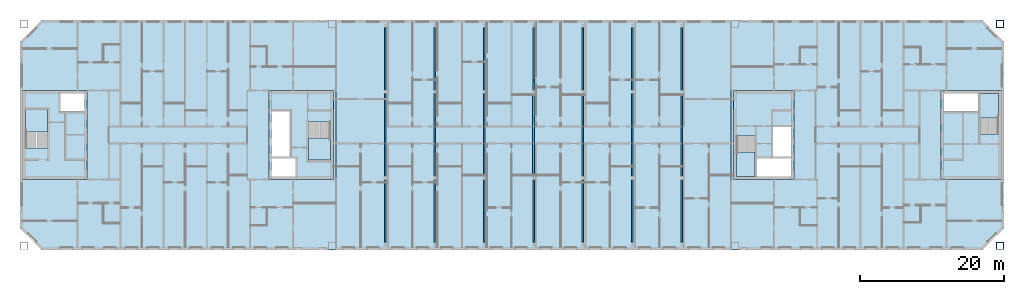
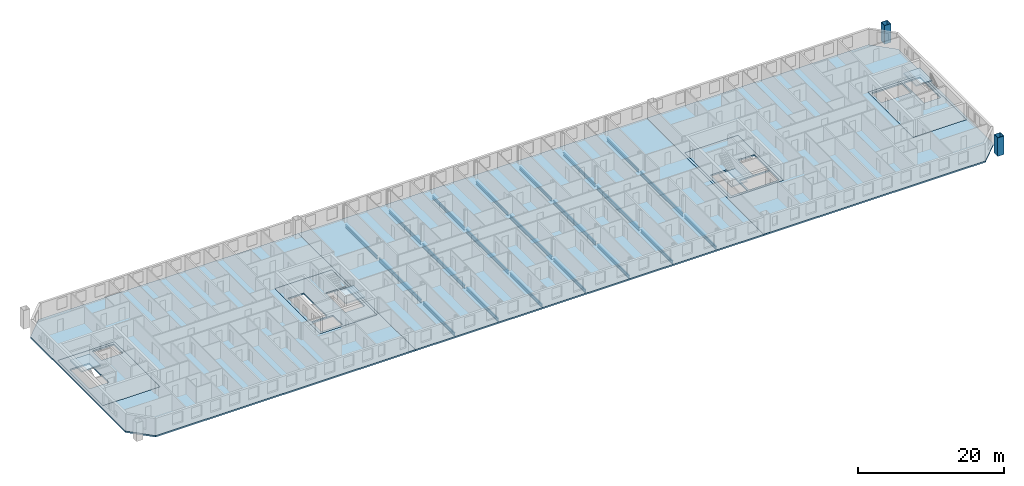
# One storey, part 3 of 19: 21 beams, 11 slabs, 2 columns, 4 elements without a shape of their own.
"""IFC4 building model written with IfcOpenShell, lengths in metres."""

from ifc_helpers import new_model, si_unit, direction, frame, origin, origin_2d, place, context, subcontext, project, spatial, polyline, hollow_rectangle, i_section, outline, extrude, material, layer, layer_set, material_profile, profile_set, type_object, element, aggregate, save


model = new_model("IFC4")

# Units and contexts
model_context = context("Model", 3, precision=1e-05, world=origin(), true_north=direction((0.0, 1.0)))
body_context = subcontext(model_context, "Body", "Model", "MODEL_VIEW")
ifc_project = project(units=[si_unit("LENGTHUNIT", "METRE"), si_unit("AREAUNIT", "SQUARE_METRE"), si_unit("VOLUMEUNIT", "CUBIC_METRE"), si_unit("PLANEANGLEUNIT", "RADIAN"), si_unit("MASSUNIT", "GRAM", prefix="KILO")], contexts=[model_context])

# Site, building, storey
site_placement = place(None, origin())
site = spatial("IfcSite", under=ifc_project, at=site_placement, CompositionType="ELEMENT")
building_placement = place(site_placement, origin())
building = spatial("IfcBuilding", under=site, at=building_placement, Name="Tuart Gate Housing", CompositionType="ELEMENT")
storey_placement = place(building_placement, frame((0.0, 0.0, 205.89990234375)))
storey = spatial("IfcBuildingStorey", under=building, at=storey_placement, Name="L58", CompositionType="ELEMENT", Elevation=205.89990234375)

# Columns
ifc_material_1 = material(Name="Steel Grade 350", Category="steel")
ifc_material_profile_1 = material_profile(ifc_material_1, hollow_rectangle(XDim=1.0, YDim=1.0, WallThickness=0.054931640625, at=origin_2d()), Name="BOX 1000x1000x55")
ifc_profile_set_1 = profile_set([ifc_material_profile_1], Name="Steel Grade 350")
column_type = type_object("IfcColumnType", Name="Mega column BOX 1000x1000x55", PredefinedType="COLUMN", material=ifc_profile_set_1)
for number, where, z_axis, x_axis, name in (
    (1, (168.449951171875, 54.550048828125, 0.0), (0.0, 0.0, 1.0), (1.0, 0.0, 0.0), "Mega column B south-east L58"),
    (2, (168.449951171875, 85.449951171875, 0.0), (0.0, 0.0, 1.0), (1.0, 0.0, 0.0), "Mega column B north-east L58"),
):
    element("IfcColumn", number, at=place(storey_placement, frame(where, z_axis=z_axis, x_axis=x_axis)), inside=storey, type_object=column_type, Name=name, PredefinedType="COLUMN", context=body_context, shape_type="SweptSolid", body=[
        extrude(hollow_rectangle(XDim=1.0, YDim=1.0, WallThickness=0.054931640625, at=origin_2d()), origin(), (0.0, 0.0, 1.0), 3.10009765625),
    ])

# Beams
ifc_material_2 = material(Name="Steel Grade 350", Category="steel")
ifc_material_profile_2 = material_profile(ifc_material_2, i_section(OverallWidth=0.208984375, OverallDepth=0.532958984375, WebThickness=0.01025390625, FlangeThickness=0.015625, at=origin_2d()), Name="530UB92.4")
ifc_profile_set_2 = profile_set([ifc_material_profile_2], Name="Steel Grade 350")
beam_type_1 = type_object("IfcBeamType", Name="Floor beam 530 UB92.4", PredefinedType="BEAM", material=ifc_profile_set_2)
for number, where, z_axis, x_axis, name in (
    (3, (82.875, 55.014892578125, -0.515869140625), (0.0, 1.0, 0.0), (-1.0, 0.0, 0.0), "Block floor beam L58 bay 1 position 1"),
    (4, (82.875, 76.215087890625, -0.515869140625), (0.0, 1.0, 0.0), (-1.0, 0.0, 0.0), "Block floor beam L58 bay 1 position 3"),
    (5, (89.75, 55.014892578125, -0.515869140625), (0.0, 1.0, 0.0), (-1.0, 0.0, 0.0), "Block floor beam L58 bay 2 position 1"),
    (6, (89.75, 76.215087890625, -0.515869140625), (0.0, 1.0, 0.0), (-1.0, 0.0, 0.0), "Block floor beam L58 bay 2 position 3"),
    (7, (96.625, 55.014892578125, -0.515869140625), (0.0, 1.0, 0.0), (-1.0, 0.0, 0.0), "Block floor beam L58 bay 3 position 1"),
    (8, (96.625, 76.215087890625, -0.515869140625), (0.0, 1.0, 0.0), (-1.0, 0.0, 0.0), "Block floor beam L58 bay 3 position 3"),
    (9, (103.5, 55.014892578125, -0.515869140625), (0.0, 1.0, 0.0), (-1.0, 0.0, 0.0), "Block floor beam L58 bay 4 position 1"),
    (10, (103.5, 76.215087890625, -0.515869140625), (0.0, 1.0, 0.0), (-1.0, 0.0, 0.0), "Block floor beam L58 bay 4 position 3"),
    (11, (110.375, 55.014892578125, -0.515869140625), (0.0, 1.0, 0.0), (-1.0, 0.0, 0.0), "Block floor beam L58 bay 5 position 1"),
    (12, (110.375, 76.215087890625, -0.515869140625), (0.0, 1.0, 0.0), (-1.0, 0.0, 0.0), "Block floor beam L58 bay 5 position 3"),
    (13, (117.25, 55.014892578125, -0.515869140625), (0.0, 1.0, 0.0), (-1.0, 0.0, 0.0), "Block floor beam L58 bay 6 position 1"),
    (14, (117.25, 76.215087890625, -0.515869140625), (0.0, 1.0, 0.0), (-1.0, 0.0, 0.0), "Block floor beam L58 bay 6 position 3"),
    (15, (124.125, 55.014892578125, -0.515869140625), (0.0, 1.0, 0.0), (-1.0, 0.0, 0.0), "Block floor beam L58 bay 7 position 1"),
    (16, (124.125, 76.215087890625, -0.515869140625), (0.0, 1.0, 0.0), (-1.0, 0.0, 0.0), "Block floor beam L58 bay 7 position 3"),
):
    element("IfcBeam", number, at=place(storey_placement, frame(where, z_axis=z_axis, x_axis=x_axis)), inside=storey, type_object=beam_type_1, Name=name, PredefinedType="BEAM", context=body_context, shape_type="SweptSolid", body=[
        extrude(i_section(OverallWidth=0.208984375, OverallDepth=0.532958984375, WebThickness=0.01025390625, FlangeThickness=0.015625, at=origin_2d()), origin(), (0.0, 0.0, 1.0), 8.77001953125),
    ])
ifc_material_3 = material(Name="Steel Grade 350", Category="steel")
ifc_material_profile_3 = material_profile(ifc_material_3, i_section(OverallWidth=0.22900390625, OverallDepth=0.612060546875, WebThickness=0.011962890625, FlangeThickness=0.01953125, at=origin_2d()), Name="610UB125")
ifc_profile_set_3 = profile_set([ifc_material_profile_3], Name="Steel Grade 350")
beam_type_2 = type_object("IfcBeamType", Name="Floor beam 610 UB125", PredefinedType="BEAM", material=ifc_profile_set_3)
for number, where, z_axis, x_axis, name in (
    (17, (82.875, 64.215087890625, -0.555908203125), (0.0, 1.0, 0.0), (-1.0, 0.0, 0.0), "Block floor beam L58 bay 1 position 2"),
    (18, (89.75, 64.215087890625, -0.555908203125), (0.0, 1.0, 0.0), (-1.0, 0.0, 0.0), "Block floor beam L58 bay 2 position 2"),
    (19, (96.625, 64.215087890625, -0.555908203125), (0.0, 1.0, 0.0), (-1.0, 0.0, 0.0), "Block floor beam L58 bay 3 position 2"),
    (20, (103.5, 64.215087890625, -0.555908203125), (0.0, 1.0, 0.0), (-1.0, 0.0, 0.0), "Block floor beam L58 bay 4 position 2"),
    (21, (110.375, 64.215087890625, -0.555908203125), (0.0, 1.0, 0.0), (-1.0, 0.0, 0.0), "Block floor beam L58 bay 5 position 2"),
    (22, (117.25, 64.215087890625, -0.555908203125), (0.0, 1.0, 0.0), (-1.0, 0.0, 0.0), "Block floor beam L58 bay 6 position 2"),
    (23, (124.125, 64.215087890625, -0.555908203125), (0.0, 1.0, 0.0), (-1.0, 0.0, 0.0), "Block floor beam L58 bay 7 position 2"),
):
    element("IfcBeam", number, at=place(storey_placement, frame(where, z_axis=z_axis, x_axis=x_axis)), inside=storey, type_object=beam_type_2, Name=name, PredefinedType="BEAM", context=body_context, shape_type="SweptSolid", body=[
        extrude(i_section(OverallWidth=0.22900390625, OverallDepth=0.612060546875, WebThickness=0.011962890625, FlangeThickness=0.01953125, at=origin_2d()), origin(), (0.0, 0.0, 1.0), 11.56982421875),
    ])

# Slabs
ifc_material_4 = material(Name="Concrete C40", Category="concrete")
ifc_layer_1 = layer(ifc_material_4, 0.25)
ifc_layer_set_1 = layer_set([ifc_layer_1], Name="Core floor slab 250")
slab_type_1 = type_object("IfcSlabType", Name="Core floor slab 250", PredefinedType="FLOOR", material=ifc_layer_set_1)
slab_1_placement = place(storey_placement, frame((0.0, 0.0, -0.25)))
element("IfcSlab", 24, at=slab_1_placement, inside=storey, type_object=slab_type_1, Name="Core floor AG", PredefinedType="FLOOR", context=body_context, shape_type="SweptSolid", body=[
    extrude(outline(polyline([(66.639892578125, 63.800048828125), (75.639892578125, 63.800048828125), (75.639892578125, 76.199951171875), (66.639892578125, 76.199951171875), (66.639892578125, 63.800048828125)]), holes=[polyline([(67.0400390625, 64.199951171875), (70.385009765625, 64.199951171875), (70.385009765625, 66.72509765625), (67.0400390625, 66.72509765625), (67.0400390625, 64.199951171875)]), polyline([(67.0400390625, 66.97509765625), (69.56494140625, 66.97509765625), (69.56494140625, 73.324951171875), (67.0400390625, 73.324951171875), (67.0400390625, 66.97509765625)]), polyline([(72.1650390625, 66.47509765625), (75.239990234375, 66.47509765625), (75.239990234375, 71.804931640625), (72.1650390625, 71.804931640625), (72.1650390625, 66.47509765625)])]), origin(), (0.0, 0.0, 1.0), 0.25),
])
slab_2_placement = place(storey_placement, frame((0.0, 0.0, -0.25)))
element("IfcSlab", 25, at=slab_2_placement, inside=storey, type_object=slab_type_1, Name="Core floor AK", PredefinedType="FLOOR", context=body_context, shape_type="SweptSolid", body=[
    extrude(outline(polyline([(32.360107421875, 63.800048828125), (41.360107421875, 63.800048828125), (41.360107421875, 76.199951171875), (32.360107421875, 76.199951171875), (32.360107421875, 63.800048828125)]), holes=[polyline([(40.9599609375, 75.800048828125), (37.614990234375, 75.800048828125), (37.614990234375, 73.27490234375), (40.9599609375, 73.27490234375), (40.9599609375, 75.800048828125)]), polyline([(35.8349609375, 73.52490234375), (32.760009765625, 73.52490234375), (32.760009765625, 68.195068359375), (35.8349609375, 68.195068359375), (35.8349609375, 73.52490234375)])]), origin(), (0.0, 0.0, 1.0), 0.25),
])
slab_3_placement = place(storey_placement, frame((0.0, 0.0, -0.25)))
element("IfcSlab", 26, at=slab_3_placement, inside=storey, type_object=slab_type_1, Name="Core floor BG", PredefinedType="FLOOR", context=body_context, shape_type="SweptSolid", body=[
    extrude(outline(polyline([(131.360107421875, 63.800048828125), (139.760009765625, 63.800048828125), (139.760009765625, 76.199951171875), (131.360107421875, 76.199951171875), (131.360107421875, 63.800048828125)]), holes=[polyline([(139.360107421875, 66.85009765625), (134.5849609375, 66.85009765625), (134.5849609375, 64.199951171875), (139.360107421875, 64.199951171875), (139.360107421875, 66.85009765625)]), polyline([(139.360107421875, 71.125), (136.8349609375, 71.125), (136.8349609375, 66.97509765625), (139.360107421875, 66.97509765625), (139.360107421875, 71.125)]), polyline([(134.3349609375, 69.85498046875), (131.760009765625, 69.85498046875), (131.760009765625, 64.199951171875), (134.3349609375, 64.199951171875), (134.3349609375, 69.85498046875)])]), origin(), (0.0, 0.0, 1.0), 0.25),
])
slab_4_placement = place(storey_placement, frame((0.0, 0.0, -0.25)))
element("IfcSlab", 27, at=slab_4_placement, inside=storey, type_object=slab_type_1, Name="Core floor BK", PredefinedType="FLOOR", context=body_context, shape_type="SweptSolid", body=[
    extrude(outline(polyline([(160.239990234375, 63.800048828125), (168.639892578125, 63.800048828125), (168.639892578125, 76.199951171875), (160.239990234375, 76.199951171875), (160.239990234375, 63.800048828125)]), holes=[polyline([(160.639892578125, 73.14990234375), (165.4150390625, 73.14990234375), (165.4150390625, 75.800048828125), (160.639892578125, 75.800048828125), (160.639892578125, 73.14990234375)]), polyline([(165.6650390625, 70.14501953125), (168.239990234375, 70.14501953125), (168.239990234375, 75.800048828125), (165.6650390625, 75.800048828125), (165.6650390625, 70.14501953125)])]), origin(), (0.0, 0.0, 1.0), 0.25),
])
ifc_material_5 = material(Name="Concrete C40", Category="concrete")
ifc_layer_2 = layer(ifc_material_5, 0.25)
ifc_layer_set_2 = layer_set([ifc_layer_2], Name="Flat plate 250")
slab_type_2 = type_object("IfcSlabType", Name="Flat plate 250", PredefinedType="FLOOR", material=ifc_layer_set_2)
slab_5_placement = place(storey_placement, frame((0.0, 0.0, -0.25)))
element("IfcSlab", 28, at=slab_5_placement, inside=storey, type_object=slab_type_2, Name="Floor slab A L58", PredefinedType="FLOOR", context=body_context, shape_type="SweptSolid", body=[
    extrude(outline(polyline([(35.0, 86.0), (32.0, 83.0), (32.0, 57.0), (35.0, 54.0), (76.0, 54.0), (76.0, 86.0), (35.0, 86.0)]), holes=[polyline([(66.639892578125, 76.199951171875), (75.639892578125, 76.199951171875), (75.639892578125, 63.800048828125), (66.639892578125, 63.800048828125), (66.639892578125, 76.199951171875)]), polyline([(41.360107421875, 76.199951171875), (41.360107421875, 63.800048828125), (32.360107421875, 63.800048828125), (32.360107421875, 76.199951171875), (41.360107421875, 76.199951171875)])]), origin(), (0.0, 0.0, 1.0), 0.25),
])
slab_6_placement = place(storey_placement, frame((0.0, 0.0, -0.25)))
element("IfcSlab", 29, at=slab_6_placement, inside=storey, type_object=slab_type_2, Name="Floor slab B L58", PredefinedType="FLOOR", context=body_context, shape_type="SweptSolid", body=[
    extrude(outline(polyline([(166.0, 86.0), (131.0, 86.0), (131.0, 54.0), (166.0, 54.0), (169.0, 57.0), (169.0, 83.0), (166.0, 86.0)]), holes=[polyline([(131.360107421875, 76.199951171875), (139.760009765625, 76.199951171875), (139.760009765625, 63.800048828125), (131.360107421875, 63.800048828125), (131.360107421875, 76.199951171875)]), polyline([(168.639892578125, 76.199951171875), (168.639892578125, 63.800048828125), (160.239990234375, 63.800048828125), (160.239990234375, 76.199951171875), (168.639892578125, 76.199951171875)])]), origin(), (0.0, 0.0, 1.0), 0.25),
])
slab_7_placement = place(storey_placement, frame((0.0, 0.0, -0.25)))
element("IfcSlab", 30, at=slab_7_placement, inside=storey, type_object=slab_type_2, Name="Link floor slab L58", PredefinedType="FLOOR", context=body_context, shape_type="SweptSolid", body=[
    extrude(outline(polyline([(76.0, 54.0), (131.0, 54.0), (131.0, 86.0), (76.0, 86.0), (76.0, 54.0)])), origin(), (0.0, 0.0, 1.0), 0.25),
])

# Stair, slab
ifc_material_6 = material(Name="Concrete C40", Category="concrete")
stair_type_1 = type_object("IfcStairType", Name="Core stair 1500", PredefinedType="HALF_TURN_STAIR", material=ifc_material_6)
stair_1_placement = place(storey_placement, origin())
stair_1 = element("IfcStair", 31, at=stair_1_placement, inside=storey, type_object=stair_type_1, Name="Stair SA1", PredefinedType="HALF_TURN_STAIR")
ifc_material_7 = material(Name="Concrete C40", Category="concrete")
ifc_layer_3 = layer(ifc_material_7, 0.199951171875)
ifc_layer_set_3 = layer_set([ifc_layer_3], Name="Stair landing 200")
slab_type_3 = type_object("IfcSlabType", Name="Stair landing 200", PredefinedType="LANDING", material=ifc_layer_set_3)
slab_8_placement = place(storey_placement, frame((0.0, 0.0, 1.35009765625)))
slab_8 = element("IfcSlab", 32, at=slab_8_placement, type_object=slab_type_3, Name="SA1 landing 1", PredefinedType="LANDING", context=body_context, shape_type="SweptSolid", body=[
    extrude(outline(polyline([(72.1650390625, 66.47509765625), (75.239990234375, 66.47509765625), (75.239990234375, 69.5849609375), (72.1650390625, 69.5849609375), (72.1650390625, 66.47509765625)])), origin(), (0.0, 0.0, 1.0), 0.199951171875),
])
aggregate(stair_1, [slab_8])

stair_2_placement = place(storey_placement, origin())
stair_2 = element("IfcStair", 33, at=stair_2_placement, inside=storey, type_object=stair_type_1, Name="Stair SA2", PredefinedType="HALF_TURN_STAIR")
slab_9_placement = place(storey_placement, frame((0.0, 0.0, 1.35009765625)))
slab_9 = element("IfcSlab", 34, at=slab_9_placement, type_object=slab_type_3, Name="SA2 landing 1", PredefinedType="LANDING", context=body_context, shape_type="SweptSolid", body=[
    extrude(outline(polyline([(35.8349609375, 73.52490234375), (32.760009765625, 73.52490234375), (32.760009765625, 70.4150390625), (35.8349609375, 70.4150390625), (35.8349609375, 73.52490234375)])), origin(), (0.0, 0.0, 1.0), 0.199951171875),
])
aggregate(stair_2, [slab_9])

ifc_material_8 = material(Name="Concrete C40", Category="concrete")
stair_type_2 = type_object("IfcStairType", Name="Core stair 1250", PredefinedType="HALF_TURN_STAIR", material=ifc_material_8)
stair_3_placement = place(storey_placement, origin())
stair_3 = element("IfcStair", 35, at=stair_3_placement, inside=storey, type_object=stair_type_2, Name="Stair SB1", PredefinedType="HALF_TURN_STAIR")
slab_10_placement = place(storey_placement, frame((0.0, 0.0, 1.35009765625)))
slab_10 = element("IfcSlab", 36, at=slab_10_placement, type_object=slab_type_3, Name="SB1 landing 1", PredefinedType="LANDING", context=body_context, shape_type="SweptSolid", body=[
    extrude(outline(polyline([(134.3349609375, 67.635009765625), (131.760009765625, 67.635009765625), (131.760009765625, 64.199951171875), (134.3349609375, 64.199951171875), (134.3349609375, 67.635009765625)])), origin(), (0.0, 0.0, 1.0), 0.199951171875),
])
aggregate(stair_3, [slab_10])

stair_4_placement = place(storey_placement, origin())
stair_4 = element("IfcStair", 37, at=stair_4_placement, inside=storey, type_object=stair_type_2, Name="Stair SB2", PredefinedType="HALF_TURN_STAIR")
slab_11_placement = place(storey_placement, frame((0.0, 0.0, 1.35009765625)))
slab_11 = element("IfcSlab", 38, at=slab_11_placement, type_object=slab_type_3, Name="SB2 landing 1", PredefinedType="LANDING", context=body_context, shape_type="SweptSolid", body=[
    extrude(outline(polyline([(165.6650390625, 72.364990234375), (168.239990234375, 72.364990234375), (168.239990234375, 75.800048828125), (165.6650390625, 75.800048828125), (165.6650390625, 72.364990234375)])), origin(), (0.0, 0.0, 1.0), 0.199951171875),
])
aggregate(stair_4, [slab_11])

save(model, "model.ifc")
